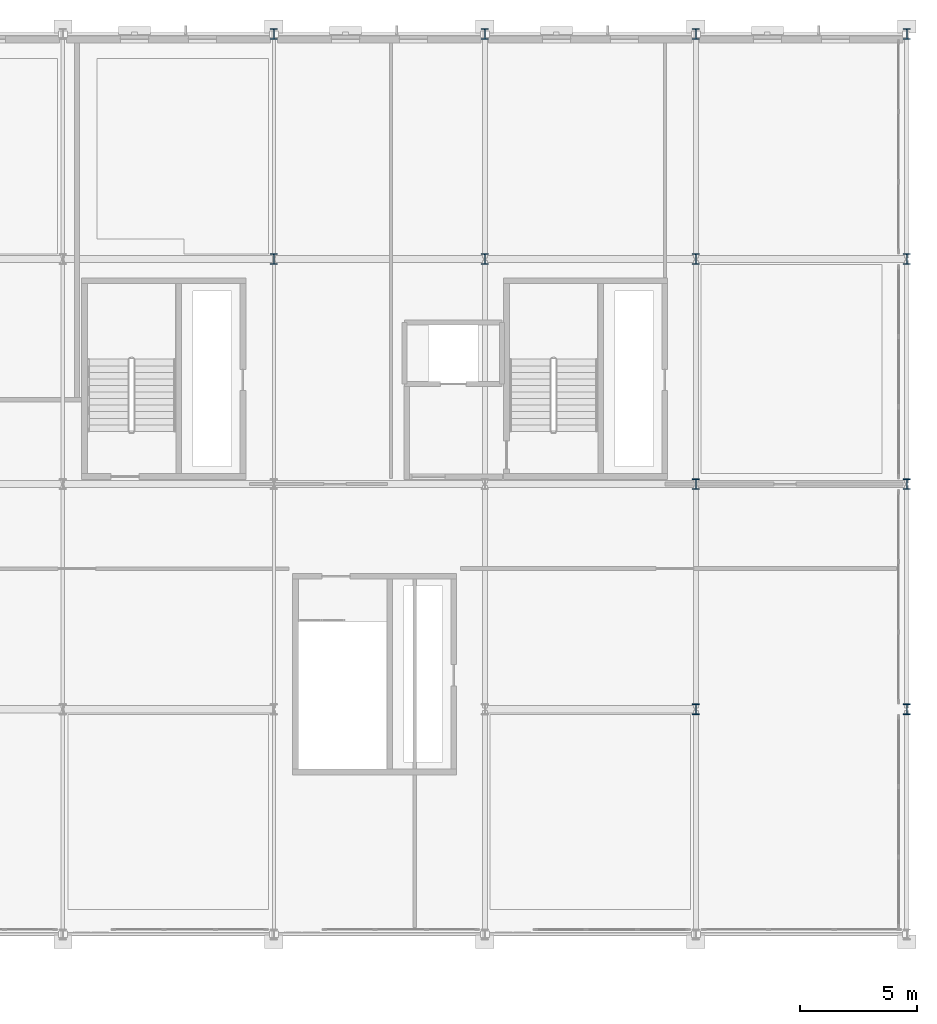
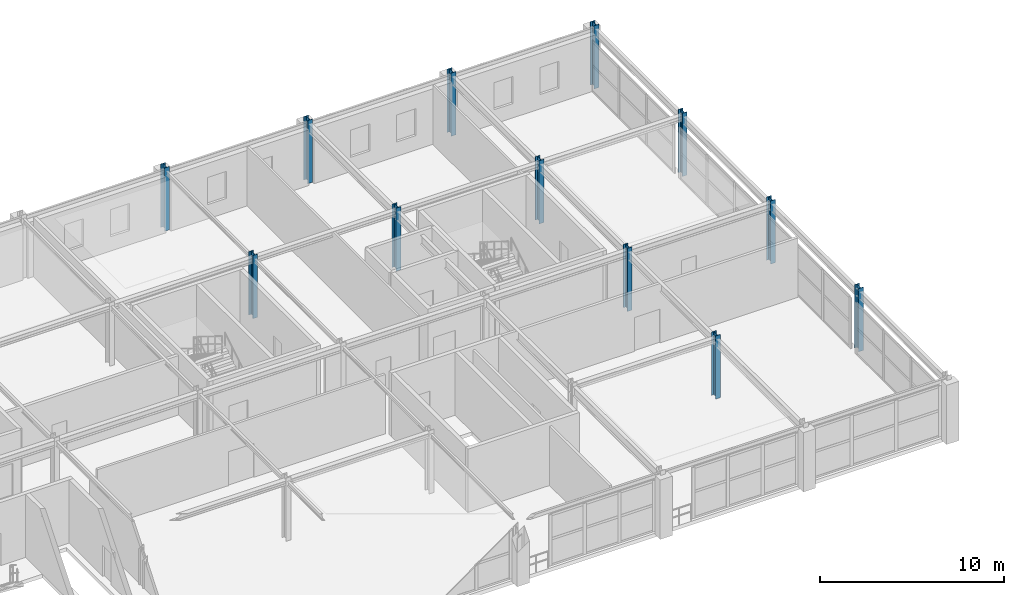
# One storey, part 15 of 81: 12 columns.
"""IFC4 building model written with IfcOpenShell, lengths in metres."""

from ifc_helpers import new_model, si_unit, direction, frame, origin, origin_2d, place, context, subcontext, project, spatial, i_section, extrude, material, material_profile, profile_set, type_object, element, save


model = new_model("IFC4")

# Units and contexts
model_context = context("Model", 3, precision=1e-05, world=origin(), true_north=direction((0.0, 1.0)))
body_context = subcontext(model_context, "Body", "Model", "MODEL_VIEW")
ifc_project = project(units=[si_unit("LENGTHUNIT", "METRE"), si_unit("AREAUNIT", "SQUARE_METRE"), si_unit("VOLUMEUNIT", "CUBIC_METRE"), si_unit("PLANEANGLEUNIT", "RADIAN"), si_unit("MASSUNIT", "GRAM", prefix="KILO")], contexts=[model_context])

# Site, building, storey
site_placement = place(None, origin())
site = spatial("IfcSite", under=ifc_project, at=site_placement, CompositionType="ELEMENT")
building_placement = place(site_placement, origin())
building = spatial("IfcBuilding", under=site, at=building_placement, Name="Myrtia Square Station", CompositionType="ELEMENT")
storey_placement = place(building_placement, frame((0.0, 0.0, 10.800048828125)))
storey = spatial("IfcBuildingStorey", under=building, at=storey_placement, Name="L02", CompositionType="ELEMENT", Elevation=10.800048828125)

# Columns
ifc_material = material(Name="Steel S355", Category="steel")
ifc_material_profile = material_profile(ifc_material, i_section(OverallWidth=0.300048828125, OverallDepth=0.449951171875, WebThickness=0.013916015625, FlangeThickness=0.02587890625, FilletRadius=0.027099609375, at=origin_2d()), Name="HEB 450")
ifc_profile_set = profile_set([ifc_material_profile], Name="Steel S355")
column_type = type_object("IfcColumnType", Name="COL-HEB450", PredefinedType="COLUMN", material=ifc_profile_set)
for number, where, z_axis, x_axis, name in (
    (1, (162.0, 115.199951171875, 0.0), (0.0, 0.0, 1.0), (1.0, 0.0, 0.0), "Column L02-0919"),
    (2, (162.0, 124.800048828125, 0.0), (0.0, 0.0, 1.0), (1.0, 0.0, 0.0), "Column L02-0925"),
    (3, (171.0, 115.199951171875, 0.0), (0.0, 0.0, 1.0), (1.0, 0.0, 0.0), "Column L02-0949"),
    (4, (171.0, 124.800048828125, 0.0), (0.0, 0.0, 1.0), (1.0, 0.0, 0.0), "Column L02-0955"),
    (5, (180.0, 96.0, 0.0), (0.0, 0.0, 1.0), (1.0, 0.0, 0.0), "Column L02-0967"),
    (6, (180.0, 105.60009765625, 0.0), (0.0, 0.0, 1.0), (1.0, 0.0, 0.0), "Column L02-0973"),
    (7, (180.0, 115.199951171875, 0.0), (0.0, 0.0, 1.0), (1.0, 0.0, 0.0), "Column L02-0979"),
    (8, (180.0, 124.800048828125, 0.0), (0.0, 0.0, 1.0), (1.0, 0.0, 0.0), "Column L02-0985"),
    (9, (189.0, 96.0, 0.0), (0.0, 0.0, 1.0), (1.0, 0.0, 0.0), "Column L02-0997"),
    (10, (189.0, 105.60009765625, 0.0), (0.0, 0.0, 1.0), (1.0, 0.0, 0.0), "Column L02-1003"),
    (11, (189.0, 115.199951171875, 0.0), (0.0, 0.0, 1.0), (1.0, 0.0, 0.0), "Column L02-1009"),
    (12, (189.0, 124.800048828125, 0.0), (0.0, 0.0, 1.0), (1.0, 0.0, 0.0), "Column L02-1015"),
):
    element("IfcColumn", number, at=place(storey_placement, frame(where, z_axis=z_axis, x_axis=x_axis)), inside=storey, type_object=column_type, Name=name, PredefinedType="COLUMN", context=body_context, shape_type="SweptSolid", body=[
        extrude(i_section(OverallWidth=0.300048828125, OverallDepth=0.449951171875, WebThickness=0.013916015625, FlangeThickness=0.02587890625, FilletRadius=0.027099609375, at=origin_2d()), origin(), (0.0, 0.0, 1.0), 4.199951171875),
    ])

save(model, "model.ifc")
